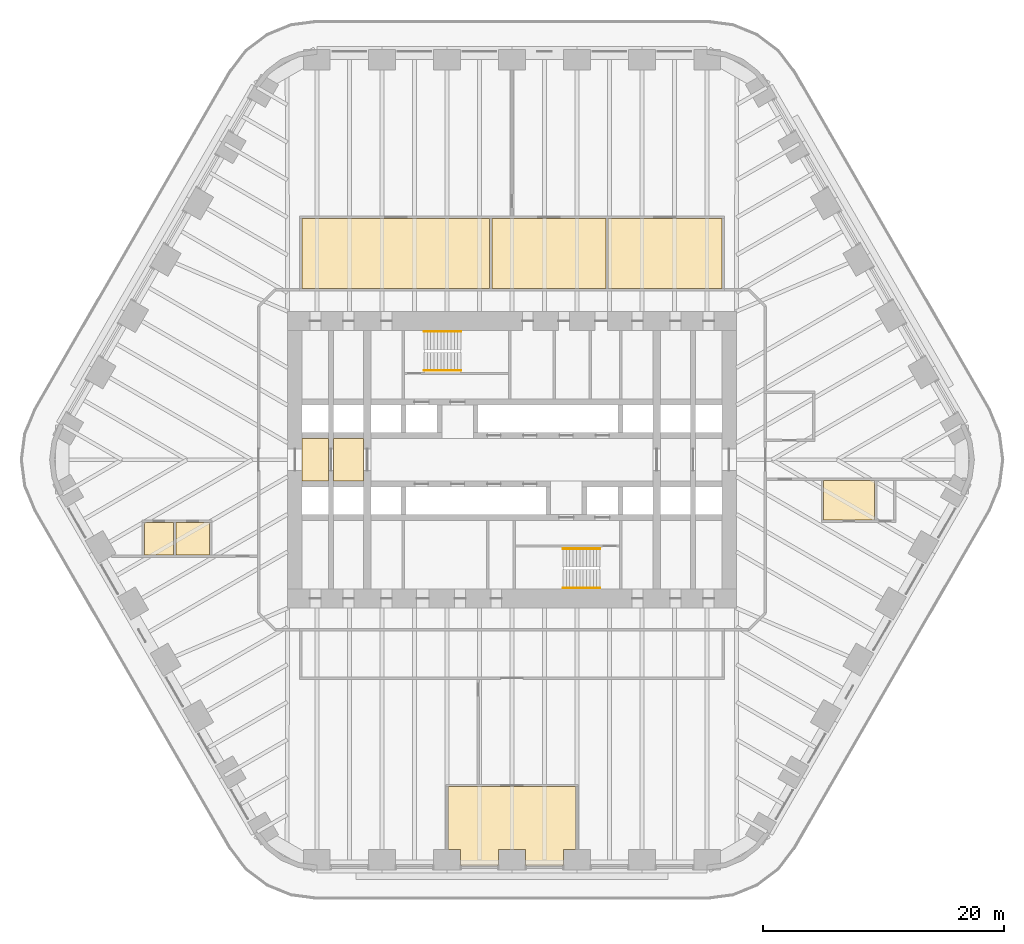
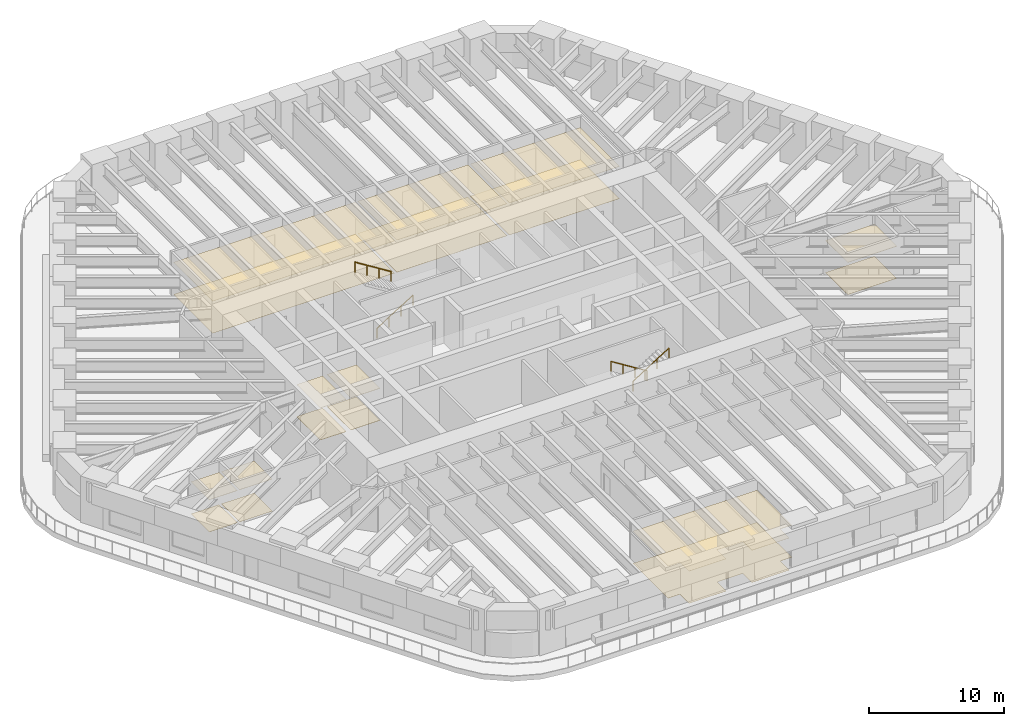
# One storey, part 14 of 16: 6 coverings, 4 railings.
"""IFC4 building model written with IfcOpenShell, lengths in metres."""

from ifc_helpers import new_model, si_unit, direction, frame, origin, origin_2d, place, context, subcontext, project, spatial, polyline, circle, outline, extrude, material, layer, layer_set, type_object, element, save


model = new_model("IFC4")

# Units and contexts
model_context = context("Model", 3, precision=1e-05, world=origin(), true_north=direction((0.0, 1.0)))
body_context = subcontext(model_context, "Body", "Model", "MODEL_VIEW")
ifc_project = project(units=[si_unit("LENGTHUNIT", "METRE"), si_unit("AREAUNIT", "SQUARE_METRE"), si_unit("VOLUMEUNIT", "CUBIC_METRE"), si_unit("PLANEANGLEUNIT", "RADIAN"), si_unit("MASSUNIT", "GRAM", prefix="KILO")], contexts=[model_context])

# Site, building, storey
site_placement = place(None, origin())
site = spatial("IfcSite", under=ifc_project, at=site_placement, CompositionType="ELEMENT")
building_placement = place(site_placement, origin())
building = spatial("IfcBuilding", under=site, at=building_placement, Name="Tarfa Lantern Tower", CompositionType="ELEMENT")
storey_placement = place(building_placement, frame((0.0, 0.0, 103.300048828125)))
storey = spatial("IfcBuildingStorey", under=building, at=storey_placement, Name="L23", CompositionType="ELEMENT", Elevation=103.300048828125)

# Coverings
ifc_material_1 = material(Name="Mineral fibre acoustic tile on suspension grid", Category="finish")
ifc_layer_1 = layer(ifc_material_1, 0.02001953125)
ifc_layer_set_1 = layer_set([ifc_layer_1], Name="CL1 ACOUSTIC TILE CEILING 20")
covering_type_1 = type_object("IfcCoveringType", Name="CL1 ACOUSTIC TILE CEILING 20", PredefinedType="CEILING", material=ifc_layer_set_1)
covering_1_placement = place(storey_placement, frame((0.0, 0.0, 2.89990234375)))
element("IfcCovering", 1, at=covering_1_placement, inside=storey, type_object=covering_type_1, Name="Ceiling L23 CL1", PredefinedType="CEILING", context=body_context, shape_type="SweptSolid", body=[
    extrude(outline(polyline([(-17.39990234375, 20.0), (-1.85009765625, 20.0), (-1.85009765625, 14.199951171875), (-17.39990234375, 14.199951171875), (-17.39990234375, 20.0)])), origin(), (0.0, 0.0, 1.0), 0.02001953125),
    extrude(outline(polyline([(-1.64990234375, 20.0), (7.77490234375, 20.0), (7.77490234375, 14.199951171875), (-1.64990234375, 14.199951171875), (-1.64990234375, 20.0)])), origin(), (0.0, 0.0, 1.0), 0.02001953125),
    extrude(outline(polyline([(7.97509765625, 20.0), (17.39990234375, 20.0), (17.39990234375, 14.199951171875), (7.97509765625, 14.199951171875), (7.97509765625, 20.0)])), origin(), (0.0, 0.0, 1.0), 0.02001953125),
    extrude(outline(polyline([(-5.28857421875, -27.10009765625), (5.28857421875, -27.10009765625), (5.28857421875, -32.300048828125), (4.28857421875, -32.300048828125), (4.28857421875, -33.64990234375), (1.10009765625, -33.64990234375), (1.10009765625, -32.300048828125), (-1.10009765625, -32.300048828125), (-1.10009765625, -33.64990234375), (-4.28857421875, -33.64990234375), (-4.28857421875, -32.300048828125), (-5.28857421875, -32.300048828125), (-5.28857421875, -27.10009765625)])), origin(), (0.0, 0.0, 1.0), 0.02001953125),
    extrude(outline(polyline([(-27.86083984375, -5.199951171875), (-25.06103515625, -5.199951171875), (-25.06103515625, -7.89990234375), (-27.86083984375, -7.89990234375), (-27.86083984375, -5.199951171875)])), origin(), (0.0, 0.0, 1.0), 0.02001953125),
    extrude(outline(polyline([(-30.4609375, -5.199951171875), (-28.06103515625, -5.199951171875), (-28.06103515625, -7.89990234375), (-30.4609375, -7.89990234375), (-30.4609375, -5.199951171875)])), origin(), (0.0, 0.0, 1.0), 0.02001953125),
    extrude(outline(polyline([(30.03662109375, -5.0), (25.83642578125, -5.0), (25.83642578125, -1.699951171875), (30.03662109375, -1.699951171875), (30.03662109375, -5.0)])), origin(), (0.0, 0.0, 1.0), 0.02001953125),
])
ifc_material_2 = material(Name="Powder-coated aluminium panel", Category="aluminium")
ifc_layer_2 = layer(ifc_material_2, 0.030029296875)
ifc_layer_set_2 = layer_set([ifc_layer_2], Name="CL3 METAL PANEL CEILING 30")
covering_type_2 = type_object("IfcCoveringType", Name="CL3 METAL PANEL CEILING 30", PredefinedType="CEILING", material=ifc_layer_set_2)
covering_2_placement = place(storey_placement, frame((0.0, 0.0, 2.89990234375)))
element("IfcCovering", 2, at=covering_2_placement, inside=storey, type_object=covering_type_2, Name="Ceiling L23-01", PredefinedType="CEILING", context=body_context, shape_type="SweptSolid", body=[
    extrude(outline(polyline([(-17.39990234375, -1.75), (-15.199951171875, -1.75), (-15.199951171875, 1.75), (-17.39990234375, 1.75), (-17.39990234375, -1.75)])), origin(), (0.0, 0.0, 1.0), 0.030029296875),
])
covering_3_placement = place(storey_placement, frame((0.0, 0.0, 2.89990234375)))
element("IfcCovering", 3, at=covering_3_placement, inside=storey, type_object=covering_type_2, Name="Ceiling L23-02", PredefinedType="CEILING", context=body_context, shape_type="SweptSolid", body=[
    extrude(outline(polyline([(-14.800048828125, -1.75), (-12.300048828125, -1.75), (-12.300048828125, 1.75), (-14.800048828125, 1.75), (-14.800048828125, -1.75)])), origin(), (0.0, 0.0, 1.0), 0.030029296875),
])
ifc_material_3 = material(Name="Nylon carpet tile", Category="finish")
ifc_layer_3 = layer(ifc_material_3, 0.010009765625)
ifc_layer_set_3 = layer_set([ifc_layer_3], Name="FL1 CARPET TILE 10")
covering_type_3 = type_object("IfcCoveringType", Name="FL1 CARPET TILE 10", PredefinedType="FLOORING", material=ifc_layer_set_3)
covering_4_placement = place(storey_placement, origin())
element("IfcCovering", 4, at=covering_4_placement, inside=storey, type_object=covering_type_3, Name="Floor finish L23 FL1", PredefinedType="FLOORING", context=body_context, shape_type="SweptSolid", body=[
    extrude(outline(polyline([(-17.39990234375, 20.0), (-1.85009765625, 20.0), (-1.85009765625, 14.199951171875), (-17.39990234375, 14.199951171875), (-17.39990234375, 20.0)])), origin(), (0.0, 0.0, 1.0), 0.010009765625),
    extrude(outline(polyline([(-1.64990234375, 20.0), (7.77490234375, 20.0), (7.77490234375, 14.199951171875), (-1.64990234375, 14.199951171875), (-1.64990234375, 20.0)])), origin(), (0.0, 0.0, 1.0), 0.010009765625),
    extrude(outline(polyline([(7.97509765625, 20.0), (17.39990234375, 20.0), (17.39990234375, 14.199951171875), (7.97509765625, 14.199951171875), (7.97509765625, 20.0)])), origin(), (0.0, 0.0, 1.0), 0.010009765625),
    extrude(outline(polyline([(-5.28857421875, -27.10009765625), (5.28857421875, -27.10009765625), (5.28857421875, -32.300048828125), (4.28857421875, -32.300048828125), (4.28857421875, -33.64990234375), (1.10009765625, -33.64990234375), (1.10009765625, -32.300048828125), (-1.10009765625, -32.300048828125), (-1.10009765625, -33.64990234375), (-4.28857421875, -33.64990234375), (-4.28857421875, -32.300048828125), (-5.28857421875, -32.300048828125), (-5.28857421875, -27.10009765625)])), origin(), (0.0, 0.0, 1.0), 0.010009765625),
    extrude(outline(polyline([(-27.86083984375, -5.199951171875), (-25.06103515625, -5.199951171875), (-25.06103515625, -7.89990234375), (-27.86083984375, -7.89990234375), (-27.86083984375, -5.199951171875)])), origin(), (0.0, 0.0, 1.0), 0.010009765625),
    extrude(outline(polyline([(-30.4609375, -5.199951171875), (-28.06103515625, -5.199951171875), (-28.06103515625, -7.89990234375), (-30.4609375, -7.89990234375), (-30.4609375, -5.199951171875)])), origin(), (0.0, 0.0, 1.0), 0.010009765625),
    extrude(outline(polyline([(30.03662109375, -5.0), (25.83642578125, -5.0), (25.83642578125, -1.699951171875), (30.03662109375, -1.699951171875), (30.03662109375, -5.0)])), origin(), (0.0, 0.0, 1.0), 0.010009765625),
])
ifc_material_4 = material(Name="Honed limestone flooring", Category="masonry")
ifc_layer_4 = layer(ifc_material_4, 0.030029296875)
ifc_layer_set_4 = layer_set([ifc_layer_4], Name="FL2 STONE FLOORING 30")
covering_type_4 = type_object("IfcCoveringType", Name="FL2 STONE FLOORING 30", PredefinedType="FLOORING", material=ifc_layer_set_4)
covering_5_placement = place(storey_placement, origin())
element("IfcCovering", 5, at=covering_5_placement, inside=storey, type_object=covering_type_4, Name="Floor finish L23-01", PredefinedType="FLOORING", context=body_context, shape_type="SweptSolid", body=[
    extrude(outline(polyline([(-17.39990234375, -1.75), (-15.199951171875, -1.75), (-15.199951171875, 1.75), (-17.39990234375, 1.75), (-17.39990234375, -1.75)])), origin(), (0.0, 0.0, 1.0), 0.030029296875),
])
covering_6_placement = place(storey_placement, origin())
element("IfcCovering", 6, at=covering_6_placement, inside=storey, type_object=covering_type_4, Name="Floor finish L23-02", PredefinedType="FLOORING", context=body_context, shape_type="SweptSolid", body=[
    extrude(outline(polyline([(-14.800048828125, -1.75), (-12.300048828125, -1.75), (-12.300048828125, 1.75), (-14.800048828125, 1.75), (-14.800048828125, -1.75)])), origin(), (0.0, 0.0, 1.0), 0.030029296875),
])

# Railings
ifc_material_5 = material(Name="Stainless steel", Category="steel")
railing_type = type_object("IfcRailingType", Name="HR1 HANDRAIL 900", PredefinedType="HANDRAIL", material=ifc_material_5)
railing_1_placement = place(storey_placement, frame((-7.300048828125, 7.3798828125, 0.175048828125)))
element("IfcRailing", 7, at=railing_1_placement, inside=storey, type_object=railing_type, Name="Handrail 1", PredefinedType="HANDRAIL", context=body_context, shape_type="SweptSolid", body=[
    extrude(circle(Radius=0.02392578125, at=origin_2d()), frame((0.0, 0.0, 0.8759765625), z_axis=(0.848028513186, 0.0, 0.529950602248), x_axis=(0.0, 1.0, 0.0)), (0.0, 0.0, 1.0), 3.632080078125),
    extrude(circle(Radius=0.02099609375, at=origin_2d()), frame((0.0, 0.0, 0.0), z_axis=(0.0, 0.0, 1.0), x_axis=(0.0, 1.0, 0.0)), (0.0, 0.0, 1.0), 0.851806640625),
    extrude(circle(Radius=0.02099609375, at=origin_2d()), frame((1.026611328125, 0.0, 0.6416015625), z_axis=(0.0, 0.0, 1.0), x_axis=(0.0, 1.0, 0.0)), (0.0, 0.0, 1.0), 0.851806640625),
    extrude(circle(Radius=0.02099609375, at=origin_2d()), frame((2.053466796875, 0.0, 1.283203125), z_axis=(0.0, 0.0, 1.0), x_axis=(0.0, 1.0, 0.0)), (0.0, 0.0, 1.0), 0.851806640625),
    extrude(circle(Radius=0.02099609375, at=origin_2d()), frame((3.080078125, 0.0, 1.9248046875), z_axis=(0.0, 0.0, 1.0), x_axis=(0.0, 1.0, 0.0)), (0.0, 0.0, 1.0), 0.851806640625),
])
railing_2_placement = place(storey_placement, frame((-4.219970703125, 10.6201171875, 2.27490234375)))
element("IfcRailing", 8, at=railing_2_placement, inside=storey, type_object=railing_type, Name="Handrail 2", PredefinedType="HANDRAIL", context=body_context, shape_type="SweptSolid", body=[
    extrude(circle(Radius=0.02392578125, at=origin_2d()), frame((0.0, 0.0, 0.8759765625), z_axis=(-0.847998304005, 0.0, 0.529998940003), x_axis=(0.0, -1.0, 0.0)), (0.0, 0.0, 1.0), 3.632080078125),
    extrude(circle(Radius=0.02099609375, at=origin_2d()), frame((0.0, 0.0, 0.0), z_axis=(0.0, 0.0, 1.0), x_axis=(0.0, -1.0, 0.0)), (0.0, 0.0, 1.0), 0.851806640625),
    extrude(circle(Radius=0.02099609375, at=origin_2d()), frame((-1.026611328125, 0.0, 0.6416015625), z_axis=(0.0, 0.0, 1.0), x_axis=(0.0, -1.0, 0.0)), (0.0, 0.0, 1.0), 0.851806640625),
    extrude(circle(Radius=0.02099609375, at=origin_2d()), frame((-2.053466796875, 0.0, 1.283447265625), z_axis=(0.0, 0.0, 1.0), x_axis=(0.0, -1.0, 0.0)), (0.0, 0.0, 1.0), 0.851806640625),
    extrude(circle(Radius=0.02099609375, at=origin_2d()), frame((-3.080078125, 0.0, 1.925048828125), z_axis=(0.0, 0.0, 1.0), x_axis=(0.0, -1.0, 0.0)), (0.0, 0.0, 1.0), 0.851806640625),
])
railing_3_placement = place(storey_placement, frame((7.300048828125, -7.3798828125, 0.175048828125)))
element("IfcRailing", 9, at=railing_3_placement, inside=storey, type_object=railing_type, Name="Handrail 1", PredefinedType="HANDRAIL", context=body_context, shape_type="SweptSolid", body=[
    extrude(circle(Radius=0.02392578125, at=origin_2d()), frame((0.0, 0.0, 0.8759765625), z_axis=(-0.848028513186, 0.0, 0.529950602248), x_axis=(0.0, -1.0, 0.0)), (0.0, 0.0, 1.0), 3.632080078125),
    extrude(circle(Radius=0.02099609375, at=origin_2d()), frame((0.0, 0.0, 0.0), z_axis=(0.0, 0.0, 1.0), x_axis=(0.0, -1.0, 0.0)), (0.0, 0.0, 1.0), 0.851806640625),
    extrude(circle(Radius=0.02099609375, at=origin_2d()), frame((-1.026611328125, 0.0, 0.6416015625), z_axis=(0.0, 0.0, 1.0), x_axis=(0.0, -1.0, 0.0)), (0.0, 0.0, 1.0), 0.851806640625),
    extrude(circle(Radius=0.02099609375, at=origin_2d()), frame((-2.053466796875, 0.0, 1.283203125), z_axis=(0.0, 0.0, 1.0), x_axis=(0.0, -1.0, 0.0)), (0.0, 0.0, 1.0), 0.851806640625),
    extrude(circle(Radius=0.02099609375, at=origin_2d()), frame((-3.080078125, 0.0, 1.9248046875), z_axis=(0.0, 0.0, 1.0), x_axis=(0.0, -1.0, 0.0)), (0.0, 0.0, 1.0), 0.851806640625),
])
railing_4_placement = place(storey_placement, frame((4.219970703125, -10.6201171875, 2.27490234375)))
element("IfcRailing", 10, at=railing_4_placement, inside=storey, type_object=railing_type, Name="Handrail 2", PredefinedType="HANDRAIL", context=body_context, shape_type="SweptSolid", body=[
    extrude(circle(Radius=0.02392578125, at=origin_2d()), frame((0.0, 0.0, 0.8759765625), z_axis=(0.847998304005, 0.0, 0.529998940003), x_axis=(0.0, 1.0, 0.0)), (0.0, 0.0, 1.0), 3.632080078125),
    extrude(circle(Radius=0.02099609375, at=origin_2d()), frame((0.0, 0.0, 0.0), z_axis=(0.0, 0.0, 1.0), x_axis=(0.0, 1.0, 0.0)), (0.0, 0.0, 1.0), 0.851806640625),
    extrude(circle(Radius=0.02099609375, at=origin_2d()), frame((1.026611328125, 0.0, 0.6416015625), z_axis=(0.0, 0.0, 1.0), x_axis=(0.0, 1.0, 0.0)), (0.0, 0.0, 1.0), 0.851806640625),
    extrude(circle(Radius=0.02099609375, at=origin_2d()), frame((2.053466796875, 0.0, 1.283447265625), z_axis=(0.0, 0.0, 1.0), x_axis=(0.0, 1.0, 0.0)), (0.0, 0.0, 1.0), 0.851806640625),
    extrude(circle(Radius=0.02099609375, at=origin_2d()), frame((3.080078125, 0.0, 1.925048828125), z_axis=(0.0, 0.0, 1.0), x_axis=(0.0, 1.0, 0.0)), (0.0, 0.0, 1.0), 0.851806640625),
])

save(model, "model.ifc")
